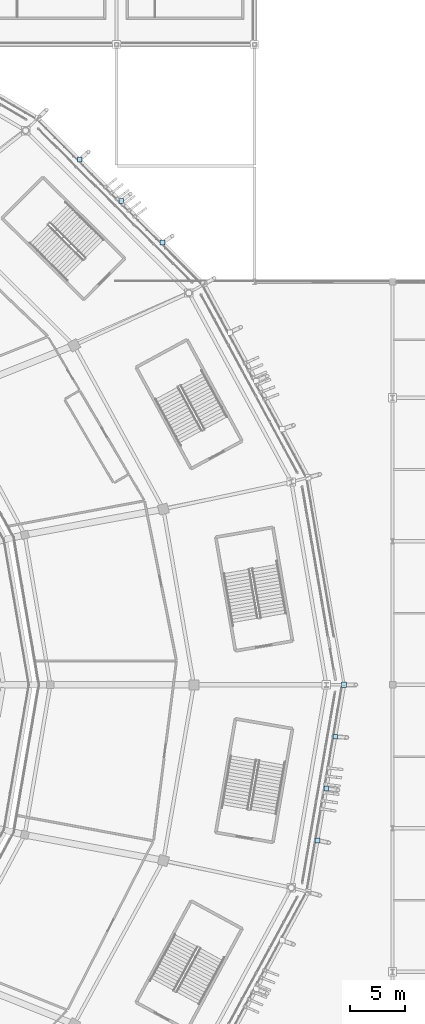
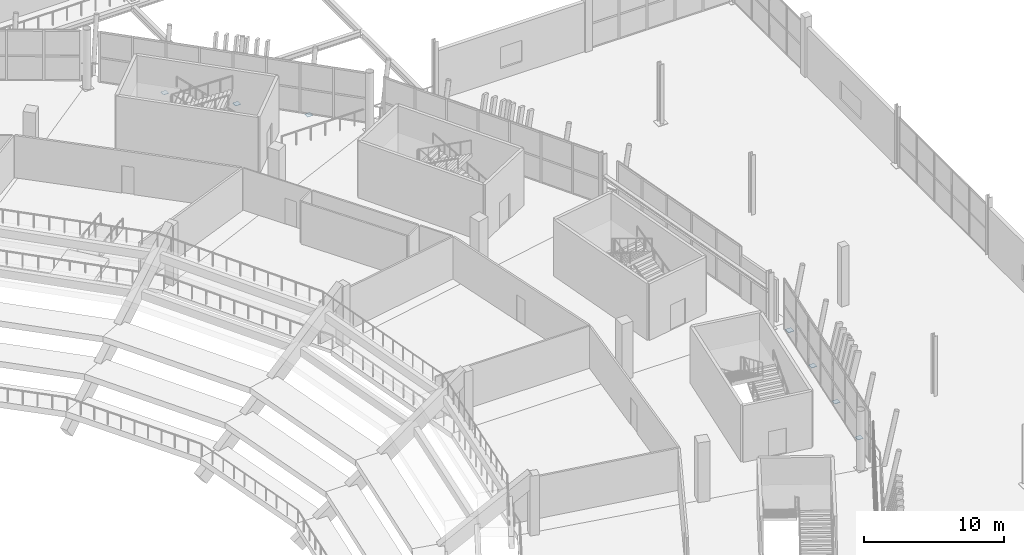
# One storey, part 112 of 178: 7 plates.
"""IFC4 building model written with IfcOpenShell, lengths in metres."""

from ifc_helpers import new_model, si_unit, direction, frame, origin, origin_2d, place, context, subcontext, project, spatial, rectangle, extrude, material, layer, layer_set, type_object, element, save


model = new_model("IFC4")

# Units and contexts
model_context = context("Model", 3, precision=1e-05, world=origin(), true_north=direction((0.0, 1.0)))
body_context = subcontext(model_context, "Body", "Model", "MODEL_VIEW")
ifc_project = project(units=[si_unit("LENGTHUNIT", "METRE"), si_unit("AREAUNIT", "SQUARE_METRE"), si_unit("VOLUMEUNIT", "CUBIC_METRE"), si_unit("PLANEANGLEUNIT", "RADIAN"), si_unit("MASSUNIT", "GRAM", prefix="KILO")], contexts=[model_context])

# Site, building, storey
site_placement = place(None, origin())
site = spatial("IfcSite", under=ifc_project, at=site_placement, CompositionType="ELEMENT")
building_placement = place(site_placement, origin())
building = spatial("IfcBuilding", under=site, at=building_placement, Name="Zlatoyarsky Gate Stadium", CompositionType="ELEMENT")
storey_placement = place(building_placement, frame((0.0, 0.0, 5.39990234375)))
storey = spatial("IfcBuildingStorey", under=building, at=storey_placement, Name="L01", CompositionType="ELEMENT", Elevation=5.39990234375)

# Plates
ifc_material = material(Name="Steel S355", Category="steel")
ifc_layer = layer(ifc_material, 0.02392578125)
ifc_layer_set = layer_set([ifc_layer], Name="Steel S355")
plate_type = type_object("IfcPlateType", Name="STEEL HOLLOW CHORD SPLICE SHEET 24", PredefinedType="SHEET", material=ifc_layer_set)
plate_placement = place(storey_placement, frame((205.6083984375, 80.0, -0.77197265625), z_axis=(0.0, 0.0, 1.0), x_axis=(1.0, 0.0, 0.0)))
element("IfcPlate", 1, at=plate_placement, inside=storey, type_object=plate_type, Name="Node closure plate ND-SP1 NCAP-L01-RSTR-00", PredefinedType="SHEET", context=body_context, shape_type="SweptSolid", body=[
    extrude(rectangle(XDim=0.47998046875, YDim=0.47998046875, at=origin_2d()), origin(), (0.0, 0.0, 1.0), 0.02392578125),
])
for number, where, z_axis, x_axis, name in (
    (2, (189.174560546875, 120.063720703125, -0.561767578125), (0.0, 0.0, 1.0), (1.0, 0.0, 0.0), "Node closure plate ND-SP1 NCAP-RIB-02-1-0B"),
    (3, (185.416015625, 123.822998046875, -0.561767578125), (0.0, 0.0, 1.0), (1.0, 0.0, 0.0), "Node closure plate ND-SP1 NCAP-RIB-02-2-0B"),
    (4, (181.656982421875, 127.58251953125, -0.561767578125), (0.0, 0.0, 1.0), (1.0, 0.0, 0.0), "Node closure plate ND-SP1 NCAP-RIB-02-3-0B"),
    (5, (203.190673828125, 65.905517578125, -0.721923828125), (0.0, 0.0, 1.0), (1.0, 0.0, 0.0), "Node closure plate ND-SP1 NCAP-RIB-23-1-0B"),
    (6, (203.99658203125, 70.603759765625, -0.721923828125), (0.0, 0.0, 1.0), (1.0, 0.0, 0.0), "Node closure plate ND-SP1 NCAP-RIB-23-2-0B"),
    (7, (204.802490234375, 75.302001953125, -0.721923828125), (0.0, 0.0, 1.0), (1.0, 0.0, 0.0), "Node closure plate ND-SP1 NCAP-RIB-23-3-0B"),
):
    element("IfcPlate", number, at=place(storey_placement, frame(where, z_axis=z_axis, x_axis=x_axis)), inside=storey, type_object=plate_type, Name=name, PredefinedType="SHEET", context=body_context, shape_type="SweptSolid", body=[
        extrude(rectangle(XDim=0.43994140625, YDim=0.43994140625, at=origin_2d()), origin(), (0.0, 0.0, 1.0), 0.02392578125),
    ])

save(model, "model.ifc")
